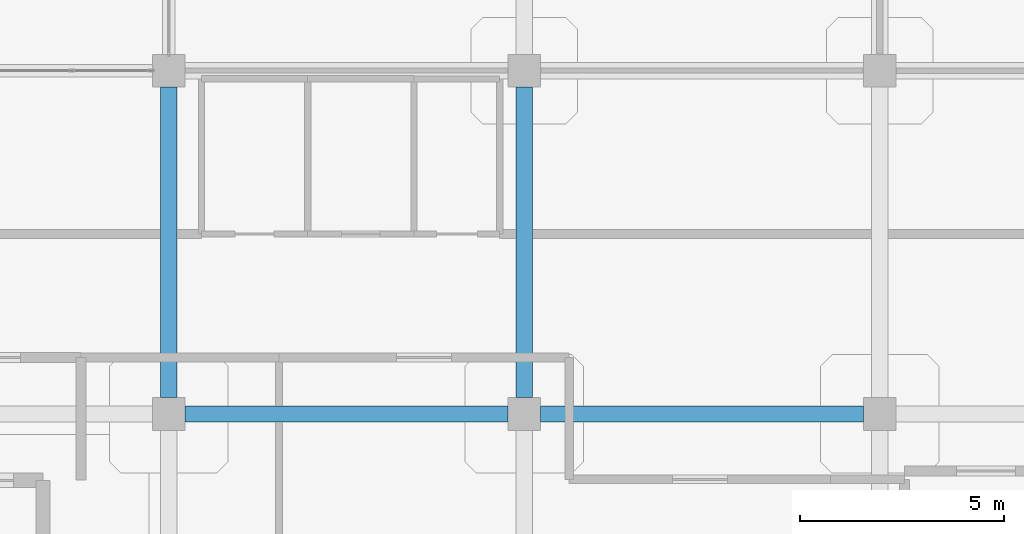
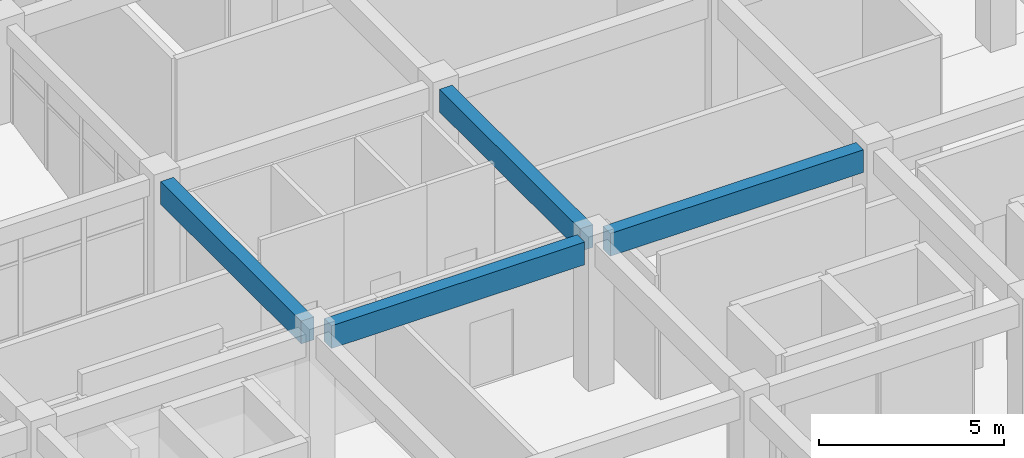
# One storey, part 20 of 124: 4 beams.
"""IFC4 building model written with IfcOpenShell, lengths in metres."""

import ifcopenshell
import ifcopenshell.guid

model = None  # the IFC model being written
_history = None  # IfcOwnerHistory: only IFC2X3 demands one
_inside = {}  # id of a spatial element -> (the spatial element, [elements in it])
_under = {}  # id of a project, library or spatial element -> (it, [spatial elements below it])
_declared = {}  # id of a project -> (the project, [libraries it declares])
_typed = {}  # id of a type object -> (the type object, [elements of that type])
_made_of = {}  # id of a material, layer set ... -> (it, [elements and type objects made of it])


def new_model(schema):
    """Start an empty IFC model of exactly this schema.

    Asked for "IFC4X3", IfcOpenShell would pick the latest addendum, in which some entities
    have other attributes; the version numbers below select the first issue.
    IFC2X3 requires an IfcOwnerHistory on every rooted entity: one is made here for all.
    """
    global model, _history
    if schema == "IFC4X3":
        model = ifcopenshell.file(schema_version=(4, 3, 0, 0))
    else:
        model = ifcopenshell.file(schema=schema)
    _inside.clear()
    _under.clear()
    _declared.clear()
    _typed.clear()
    _made_of.clear()
    _history = None
    if model.schema == "IFC2X3":
        org = make("IfcOrganization", Name="unknown")
        user = make(
            "IfcPersonAndOrganization",
            ThePerson=make("IfcPerson", FamilyName="unknown"),
            TheOrganization=org,
        )
        app = make(
            "IfcApplication",
            ApplicationDeveloper=org,
            Version="unknown",
            ApplicationFullName="unknown",
            ApplicationIdentifier="unknown",
        )
        _history = make(
            "IfcOwnerHistory",
            OwningUser=user,
            OwningApplication=app,
            ChangeAction="ADDED",
            CreationDate=0,
        )
    return model


def make(cls, **values):
    """One entity of the class cls with the attributes given. An attribute that is None is left unset."""
    return model.create_entity(
        cls, **{name: value for name, value in values.items() if value is not None}
    )


def rooted(cls, **values):
    """An entity with a GlobalId (a new one), such as an element, a storey or a relation."""
    return make(cls, GlobalId=ifcopenshell.guid.new(), OwnerHistory=_history, **values)


def si_unit(unit_type, name, prefix=None):
    """IfcSIUnit, for example si_unit("LENGTHUNIT", "METRE", prefix="MILLI")."""
    return make("IfcSIUnit", UnitType=unit_type, Prefix=prefix, Name=name)


def derived_unit(unit_type, elements):
    """IfcDerivedUnit: a product of units, each with its exponent."""
    return make(
        "IfcDerivedUnit",
        Elements=[
            make("IfcDerivedUnitElement", Unit=unit, Exponent=power)
            for unit, power in elements
        ],
        UnitType=unit_type,
    )


def assignment(units):
    """IfcUnitAssignment: the units of a project."""
    return None if units is None else make("IfcUnitAssignment", Units=units)


def point(xyz):
    """IfcCartesianPoint."""
    return None if xyz is None else make("IfcCartesianPoint", Coordinates=xyz)


def direction(xyz):
    """IfcDirection."""
    return None if xyz is None else make("IfcDirection", DirectionRatios=xyz)


def frame(location, z_axis=None, x_axis=None):
    """IfcAxis2Placement3D, a coordinate frame: its origin and axes. An axis left out is left unset."""
    return make(
        "IfcAxis2Placement3D",
        Location=point(location),
        Axis=direction(z_axis),
        RefDirection=direction(x_axis),
    )


def frame_2d(location, x_axis=None):
    """IfcAxis2Placement2D, a coordinate frame in the plane: its origin and x axis."""
    return make(
        "IfcAxis2Placement2D", Location=point(location), RefDirection=direction(x_axis)
    )


def origin():
    """The frame at (0, 0, 0) with its axes left unset."""
    return frame((0.0, 0.0, 0.0))


def origin_2d():
    """The frame at (0, 0) in the plane with its x axis left unset."""
    return frame_2d((0.0, 0.0))


def place(relative_to, where):
    """IfcLocalPlacement: puts the frame where relative to a parent placement (None: the world)."""
    return make(
        "IfcLocalPlacement", PlacementRelTo=relative_to, RelativePlacement=where
    )


def context(
    kind, dimensions, precision=None, world=None, true_north=None, identifier=None
):
    """IfcGeometricRepresentationContext, for example the 3D "Model" context."""
    return make(
        "IfcGeometricRepresentationContext",
        ContextIdentifier=identifier,
        ContextType=kind,
        CoordinateSpaceDimension=dimensions,
        Precision=precision,
        WorldCoordinateSystem=world,
        TrueNorth=true_north,
    )


def subcontext(parent, identifier, kind, view, scale=None):
    """IfcGeometricRepresentationSubContext, for example "Body" below "Model"."""
    return make(
        "IfcGeometricRepresentationSubContext",
        ContextIdentifier=identifier,
        ContextType=kind,
        ParentContext=parent,
        TargetScale=scale,
        TargetView=view,
    )


def project(units=None, contexts=None):
    """IfcProject with its units and contexts."""
    return rooted(
        "IfcProject",
        Name="project",
        RepresentationContexts=contexts,
        UnitsInContext=assignment(units),
    )


def spatial(cls, under=None, at=None, **own):
    """A site, building, storey or space (cls), placed at a placement, below another one or the project."""
    s = rooted(cls, ObjectPlacement=at, **own)
    if under is not None:
        _under.setdefault(under.id(), (under, []))[1].append(s)
    return s


def profile(cls, at=None, kind="AREA", **sizes):
    """A parametric profile (cls). Its sizes go by their IFC names, for example OverallWidth=200.0."""
    return make(cls, ProfileType=kind, Position=at, **sizes)


def rectangle(**sizes):
    """IfcRectangleProfileDef."""
    return profile("IfcRectangleProfileDef", **sizes)


def extrude(swept, where, along, depth):
    """IfcExtrudedAreaSolid: the profile swept, set in the frame where, extruded along a direction by depth."""
    return make(
        "IfcExtrudedAreaSolid",
        SweptArea=swept,
        Position=where,
        ExtrudedDirection=direction(along),
        Depth=depth,
    )


def shape(context_of_items, identifier, shape_type, items):
    """IfcShapeRepresentation: the items that make up one representation, for example the "Body"."""
    return make(
        "IfcShapeRepresentation",
        ContextOfItems=context_of_items,
        RepresentationIdentifier=identifier,
        RepresentationType=shape_type,
        Items=items,
    )


def material(Name=None, Category=None):
    """IfcMaterial."""
    return make("IfcMaterial", Name=Name, Category=Category)


def material_profile(
    of_material, cross_section, Name=None, Category=None, Priority=None
):
    """IfcMaterialProfile: a cross section and its material."""
    return make(
        "IfcMaterialProfile",
        Name=Name,
        Material=of_material,
        Profile=cross_section,
        Priority=Priority,
        Category=Category,
    )


def profile_set(profiles, Name=None, composite=None):
    """IfcMaterialProfileSet."""
    return make(
        "IfcMaterialProfileSet",
        Name=Name,
        MaterialProfiles=profiles,
        CompositeProfile=composite,
    )


def made_of(thing, what):
    """Note that an element or type object is made of a material, layer set ...; save() writes the relation."""
    if what is not None:
        _made_of.setdefault(what.id(), (what, []))[1].append(thing)
    return thing


def type_object(cls, material=None, **own):
    """A type object (cls), such as IfcWallType, which elements share."""
    return made_of(rooted(cls, **own), material)


def element(
    cls,
    number,
    at=None,
    inside=None,
    cuts=None,
    type_object=None,
    material=None,
    context=None,
    identifier="Body",
    shape_type=None,
    held_by="IfcProductDefinitionShape",
    body=None,
    shapes=None,
    **own,
):
    """One element of the class cls, such as IfcWall. Its Tag is "e" and its number.

    at: its placement. inside: the storey or other place that contains it. cuts: it is an
    opening in that element (IfcRelVoidsElement). A single representation is given by context,
    identifier, shape_type and body (its items); several are given by shapes. held_by: the class
    of the entity that holds the representations. save() writes the other relations.
    """
    e = rooted(cls, Tag="e%d" % number, ObjectPlacement=at, **own)
    if body is not None:
        shapes = [shape(context, identifier, shape_type, body)]
    if shapes is not None:
        e.Representation = make(held_by, Representations=shapes)
    if inside is not None:
        _inside.setdefault(inside.id(), (inside, []))[1].append(e)
    if cuts is not None:
        rooted(
            "IfcRelVoidsElement", RelatingBuildingElement=cuts, RelatedOpeningElement=e
        )
    if type_object is not None:
        _typed.setdefault(type_object.id(), (type_object, []))[1].append(e)
    return made_of(e, material)


def aggregate(whole, parts):
    """IfcRelAggregates: a whole, such as a stair, and the parts it consists of."""
    return rooted("IfcRelAggregates", RelatingObject=whole, RelatedObjects=parts)


def save(model, path):
    """Write the relations noted so far, then the file.

    IfcRelAggregates (storeys below a building ...), IfcRelContainedInSpatialStructure (elements
    in a storey), IfcRelDefinesByType, IfcRelAssociatesMaterial and IfcRelDeclares: one each for
    every whole, place, type object, material and project.
    """
    for whole, parts in _under.values():
        aggregate(whole, parts)
    for where, things in _inside.values():
        rooted(
            "IfcRelContainedInSpatialStructure",
            RelatedElements=things,
            RelatingStructure=where,
        )
    for kind, things in _typed.values():
        rooted("IfcRelDefinesByType", RelatedObjects=things, RelatingType=kind)
    for what, things in _made_of.values():
        rooted("IfcRelAssociatesMaterial", RelatedObjects=things, RelatingMaterial=what)
    for by, libraries in _declared.values():
        rooted("IfcRelDeclares", RelatingContext=by, RelatedDefinitions=libraries)
    model.write(path)


model = new_model("IFC4")

# Units and contexts
model_context = context("Model", 3, precision=1e-05, world=origin(), true_north=direction((0.0, 1.0)))
body_context = subcontext(model_context, "Body", "Model", "MODEL_VIEW")
ifc_project = project(units=[si_unit("LENGTHUNIT", "METRE"), si_unit("AREAUNIT", "SQUARE_METRE"), si_unit("VOLUMEUNIT", "CUBIC_METRE"), si_unit("PLANEANGLEUNIT", "RADIAN"), si_unit("MASSUNIT", "GRAM", prefix="KILO"), derived_unit("THERMALTRANSMITTANCEUNIT", [(si_unit("MASSUNIT", "GRAM", prefix="KILO"), 1), (si_unit("TIMEUNIT", "SECOND"), -3), (si_unit("THERMODYNAMICTEMPERATUREUNIT", "KELVIN"), -1)])], contexts=[model_context])

# Site, building, storey
site_placement = place(None, origin())
site = spatial("IfcSite", under=ifc_project, at=site_placement, CompositionType="ELEMENT")
building_placement = place(site_placement, origin())
building = spatial("IfcBuilding", under=site, at=building_placement, Name="Qinzheling Arcade Emporium", CompositionType="ELEMENT")
storey_placement = place(building_placement, frame((0.0, 0.0, 16.5)))
storey = spatial("IfcBuildingStorey", under=building, at=storey_placement, Name="L04", CompositionType="ELEMENT", Elevation=16.5)

# Beams
ifc_material = material(Name="Concrete C40", Category="concrete")
ifc_material_profile = material_profile(ifc_material, rectangle(XDim=0.39990234375, YDim=0.75, at=origin_2d()), Name="RC 400x750", Category="concrete")
ifc_profile_set = profile_set([ifc_material_profile], Name="Concrete C40")
beam_type = type_object("IfcBeamType", Name="RC Interior Tie Beam 400x750 C40", PredefinedType="BEAM", material=ifc_profile_set)
for number, where, z_axis, x_axis, name in (
    (1, (35.199951171875, 33.60009765625, 4.445068359375), (1.0, 0.0, 0.0), (0.0, 1.0, 0.0), "Beam BM-L04-X-E-5"),
    (2, (43.89990234375, 33.60009765625, 4.445068359375), (1.0, 0.0, 0.0), (0.0, 1.0, 0.0), "Beam BM-L04-X-E-6"),
):
    element("IfcBeam", number, at=place(storey_placement, frame(where, z_axis=z_axis, x_axis=x_axis)), inside=storey, type_object=beam_type, Name=name, PredefinedType="BEAM", context=body_context, shape_type="SweptSolid", body=[
        extrude(rectangle(XDim=0.39990234375, YDim=0.75, at=origin_2d()), origin(), (0.0, 0.0, 1.0), 7.900146484375),
    ])
for number, where, z_axis, x_axis, name in (
    (3, (34.800048828125, 34.0, 4.445068359375), (0.0, 1.0, 0.0), (-1.0, 0.0, 0.0), "Beam BM-L04-Y-5-E"),
    (4, (43.5, 34.0, 4.445068359375), (0.0, 1.0, 0.0), (-1.0, 0.0, 0.0), "Beam BM-L04-Y-6-E"),
):
    element("IfcBeam", number, at=place(storey_placement, frame(where, z_axis=z_axis, x_axis=x_axis)), inside=storey, type_object=beam_type, Name=name, PredefinedType="BEAM", context=body_context, shape_type="SweptSolid", body=[
        extrude(rectangle(XDim=0.39990234375, YDim=0.75, at=origin_2d()), origin(), (0.0, 0.0, 1.0), 7.60009765625),
    ])

save(model, "model.ifc")
